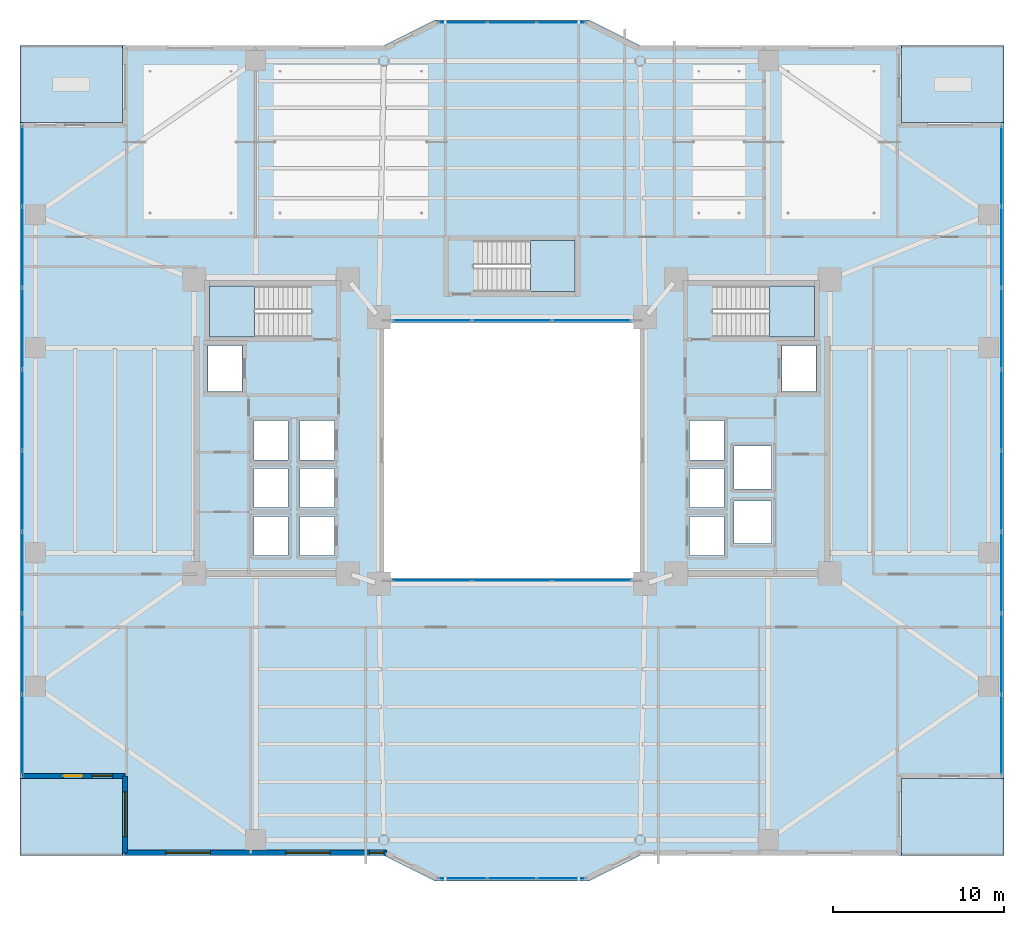
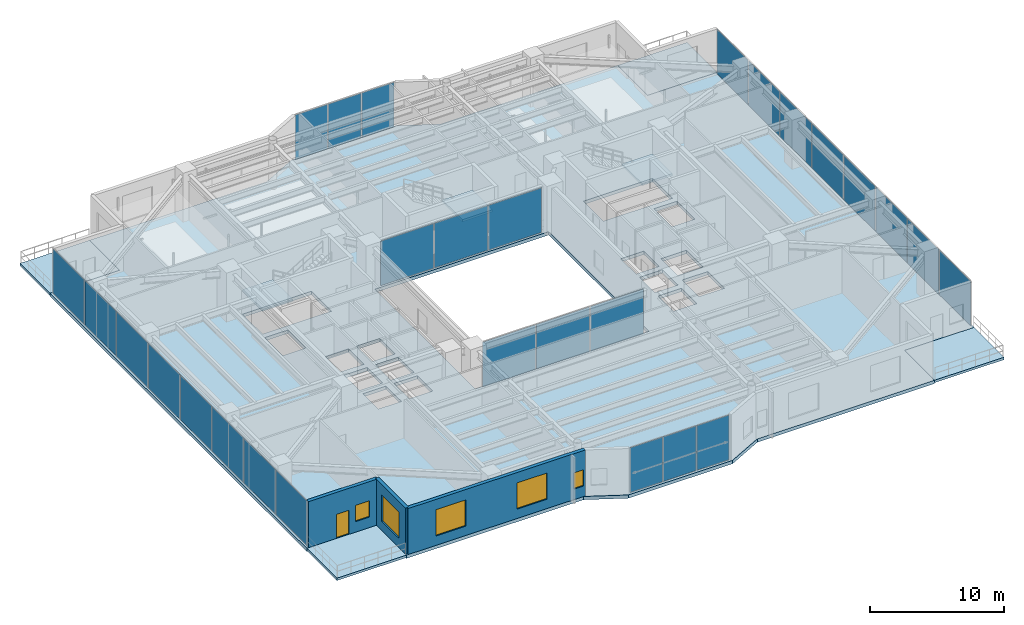
# One storey, part 28 of 39: 28 plates, 8 slabs, 5 windows, 3 walls, 1 door, 6 openings, 9 elements without a shape of their own.
"""IFC4 building model written with IfcOpenShell, lengths in metres."""

from ifc_helpers import new_model, si_unit, direction, frame, frame_2d, origin, origin_2d, place, context, subcontext, project, spatial, polyline, rectangle, outline, extrude, material, layer, layer_set, type_object, element, fill, aggregate, save


model = new_model("IFC4")

# Units and contexts
model_context = context("Model", 3, precision=1e-05, world=origin(), true_north=direction((0.0, 1.0)))
body_context = subcontext(model_context, "Body", "Model", "MODEL_VIEW")
ifc_project = project(units=[si_unit("LENGTHUNIT", "METRE"), si_unit("AREAUNIT", "SQUARE_METRE"), si_unit("VOLUMEUNIT", "CUBIC_METRE"), si_unit("PLANEANGLEUNIT", "RADIAN"), si_unit("MASSUNIT", "GRAM", prefix="KILO")], contexts=[model_context])

# Site, building, storey
site_placement = place(None, origin())
site = spatial("IfcSite", under=ifc_project, at=site_placement, CompositionType="ELEMENT")
building_placement = place(site_placement, origin())
building = spatial("IfcBuilding", under=site, at=building_placement, Name="Tarnavaz Court Tower", CompositionType="ELEMENT")
storey_placement = place(building_placement, frame((0.0, 0.0, 68.699951171875)))
storey = spatial("IfcBuildingStorey", under=building, at=storey_placement, Name="L18", CompositionType="ELEMENT", Elevation=68.699951171875)

# Curtain wall, plates
ifc_material_1 = material(Name="Anodised Aluminium 6063-T6 and Solar Low-E Glazing", Category="aluminium")
ifc_layer_1 = layer(ifc_material_1, 0.139892578125)
ifc_layer_set_1 = layer_set([ifc_layer_1], Name="Anodised Aluminium 6063-T6 and Solar Low-E Glazing")
curtain_wall_type_1 = type_object("IfcCurtainWallType", Name="CW-SYS-04", PredefinedType="NOTDEFINED", material=ifc_layer_set_1)
curtain_wall_1_placement = place(storey_placement, origin())
curtain_wall_1 = element("IfcCurtainWall", 1, at=curtain_wall_1_placement, inside=storey, type_object=curtain_wall_type_1, Name="L18 Badgir Courtyard Curtain Wall S", PredefinedType="NOTDEFINED")
ifc_material_2 = material(Name="Double-Glazed Solar Low-E Glass", Category="glass")
ifc_layer_2 = layer(ifc_material_2, 0.028076171875)
ifc_layer_set_2 = layer_set([ifc_layer_2], Name="Double-Glazed Solar Low-E Glass")
plate_type = type_object("IfcPlateType", Name="CW-PAN-GLZ28", PredefinedType="CURTAIN_PANEL", material=ifc_layer_set_2)
plate_1_placement = place(storey_placement, frame((-4.6611328125, -7.6201171875, 0.06494140625), z_axis=(0.0, 0.0, 1.0), x_axis=(1.0, 0.0, 0.0)))
plate_1 = element("IfcPlate", 2, at=plate_1_placement, type_object=plate_type, Name="CW panel 1.1", PredefinedType="CURTAIN_PANEL", context=body_context, shape_type="SweptSolid", body=[
    extrude(rectangle(XDim=4.5673828125, YDim=0.028076171875, at=origin_2d()), origin(), (0.0, 0.0, 1.0), 4.070068359375),
])
plate_2_placement = place(storey_placement, frame((0.0, -7.6201171875, 0.06494140625), z_axis=(0.0, 0.0, 1.0), x_axis=(1.0, 0.0, 0.0)))
plate_2 = element("IfcPlate", 3, at=plate_2_placement, type_object=plate_type, Name="CW panel 2.1", PredefinedType="CURTAIN_PANEL", context=body_context, shape_type="SweptSolid", body=[
    extrude(rectangle(XDim=4.60498046875, YDim=0.028076171875, at=origin_2d()), origin(), (0.0, 0.0, 1.0), 4.070068359375),
])
plate_3_placement = place(storey_placement, frame((4.6611328125, -7.6201171875, 0.06494140625), z_axis=(0.0, 0.0, 1.0), x_axis=(1.0, 0.0, 0.0)))
plate_3 = element("IfcPlate", 4, at=plate_3_placement, type_object=plate_type, Name="CW panel 3.1", PredefinedType="CURTAIN_PANEL", context=body_context, shape_type="SweptSolid", body=[
    extrude(rectangle(XDim=4.5673828125, YDim=0.028076171875, at=origin_2d()), origin(), (0.0, 0.0, 1.0), 4.070068359375),
])
aggregate(curtain_wall_1, [plate_1, plate_2, plate_3])

curtain_wall_2_placement = place(storey_placement, origin())
curtain_wall_2 = element("IfcCurtainWall", 5, at=curtain_wall_2_placement, inside=storey, type_object=curtain_wall_type_1, Name="L18 Badgir Courtyard Curtain Wall N", PredefinedType="NOTDEFINED")
plate_4_placement = place(storey_placement, frame((4.6611328125, 7.6201171875, 0.06494140625), z_axis=(0.0, 0.0, 1.0), x_axis=(-1.0, 0.0, 0.0)))
plate_4 = element("IfcPlate", 6, at=plate_4_placement, type_object=plate_type, Name="CW panel 1.1", PredefinedType="CURTAIN_PANEL", context=body_context, shape_type="SweptSolid", body=[
    extrude(rectangle(XDim=4.5673828125, YDim=0.028076171875, at=origin_2d()), origin(), (0.0, 0.0, 1.0), 4.070068359375),
])
plate_5_placement = place(storey_placement, frame((0.0, 7.6201171875, 0.06494140625), z_axis=(0.0, 0.0, 1.0), x_axis=(-1.0, 0.0, 0.0)))
plate_5 = element("IfcPlate", 7, at=plate_5_placement, type_object=plate_type, Name="CW panel 2.1", PredefinedType="CURTAIN_PANEL", context=body_context, shape_type="SweptSolid", body=[
    extrude(rectangle(XDim=4.60498046875, YDim=0.028076171875, at=origin_2d()), origin(), (0.0, 0.0, 1.0), 4.070068359375),
])
plate_6_placement = place(storey_placement, frame((-4.6611328125, 7.6201171875, 0.06494140625), z_axis=(0.0, 0.0, 1.0), x_axis=(-1.0, 0.0, 0.0)))
plate_6 = element("IfcPlate", 8, at=plate_6_placement, type_object=plate_type, Name="CW panel 3.1", PredefinedType="CURTAIN_PANEL", context=body_context, shape_type="SweptSolid", body=[
    extrude(rectangle(XDim=4.5673828125, YDim=0.028076171875, at=origin_2d()), origin(), (0.0, 0.0, 1.0), 4.070068359375),
])
aggregate(curtain_wall_2, [plate_4, plate_5, plate_6])

ifc_layer_3 = layer(ifc_material_1, 0.199951171875)
ifc_layer_set_3 = layer_set([ifc_layer_3], Name="Anodised Aluminium 6063-T6 and Solar Low-E Glazing")
curtain_wall_type_2 = type_object("IfcCurtainWallType", Name="CW-SYS-05", PredefinedType="NOTDEFINED", material=ifc_layer_set_3)
curtain_wall_3_placement = place(storey_placement, origin())
curtain_wall_3 = element("IfcCurtainWall", 9, at=curtain_wall_3_placement, inside=storey, type_object=curtain_wall_type_2, Name="L18 Sky-Portal Curtain Wall 2", PredefinedType="NOTDEFINED")
plate_7_placement = place(storey_placement, frame((-28.64990234375, -16.6474609375, 0.06494140625), z_axis=(0.0, 0.0, 1.0), x_axis=(0.0, 1.0, 0.0)))
plate_7 = element("IfcPlate", 10, at=plate_7_placement, type_object=plate_type, Name="CW panel 1.1", PredefinedType="CURTAIN_PANEL", context=body_context, shape_type="SweptSolid", body=[
    extrude(rectangle(XDim=4.635009765625, YDim=0.028076171875, at=origin_2d()), origin(), (0.0, 0.0, 1.0), 4.070068359375),
])
plate_8_placement = place(storey_placement, frame((-28.64990234375, -11.90625, 0.06494140625), z_axis=(0.0, 0.0, 1.0), x_axis=(0.0, 1.0, 0.0)))
plate_8 = element("IfcPlate", 11, at=plate_8_placement, type_object=plate_type, Name="CW panel 2.1", PredefinedType="CURTAIN_PANEL", context=body_context, shape_type="SweptSolid", body=[
    extrude(rectangle(XDim=4.677490234375, YDim=0.028076171875, at=origin_2d()), origin(), (0.0, 0.0, 1.0), 4.070068359375),
])
plate_9_placement = place(storey_placement, frame((-28.64990234375, -7.143798828125, 0.06494140625), z_axis=(0.0, 0.0, 1.0), x_axis=(0.0, 1.0, 0.0)))
plate_9 = element("IfcPlate", 12, at=plate_9_placement, type_object=plate_type, Name="CW panel 3.1", PredefinedType="CURTAIN_PANEL", context=body_context, shape_type="SweptSolid", body=[
    extrude(rectangle(XDim=4.677490234375, YDim=0.028076171875, at=origin_2d()), origin(), (0.0, 0.0, 1.0), 4.070068359375),
])
plate_10_placement = place(storey_placement, frame((-28.64990234375, -2.38134765625, 0.06494140625), z_axis=(0.0, 0.0, 1.0), x_axis=(0.0, 1.0, 0.0)))
plate_10 = element("IfcPlate", 13, at=plate_10_placement, type_object=plate_type, Name="CW panel 4.1", PredefinedType="CURTAIN_PANEL", context=body_context, shape_type="SweptSolid", body=[
    extrude(rectangle(XDim=4.677490234375, YDim=0.028076171875, at=origin_2d()), origin(), (0.0, 0.0, 1.0), 4.070068359375),
])
plate_11_placement = place(storey_placement, frame((-28.64990234375, 2.38134765625, 0.06494140625), z_axis=(0.0, 0.0, 1.0), x_axis=(0.0, 1.0, 0.0)))
plate_11 = element("IfcPlate", 14, at=plate_11_placement, type_object=plate_type, Name="CW panel 5.1", PredefinedType="CURTAIN_PANEL", context=body_context, shape_type="SweptSolid", body=[
    extrude(rectangle(XDim=4.677490234375, YDim=0.028076171875, at=origin_2d()), origin(), (0.0, 0.0, 1.0), 4.070068359375),
])
plate_12_placement = place(storey_placement, frame((-28.64990234375, 7.143798828125, 0.06494140625), z_axis=(0.0, 0.0, 1.0), x_axis=(0.0, 1.0, 0.0)))
plate_12 = element("IfcPlate", 15, at=plate_12_placement, type_object=plate_type, Name="CW panel 6.1", PredefinedType="CURTAIN_PANEL", context=body_context, shape_type="SweptSolid", body=[
    extrude(rectangle(XDim=4.677490234375, YDim=0.028076171875, at=origin_2d()), origin(), (0.0, 0.0, 1.0), 4.070068359375),
])
plate_13_placement = place(storey_placement, frame((-28.64990234375, 11.90625, 0.06494140625), z_axis=(0.0, 0.0, 1.0), x_axis=(0.0, 1.0, 0.0)))
plate_13 = element("IfcPlate", 16, at=plate_13_placement, type_object=plate_type, Name="CW panel 7.1", PredefinedType="CURTAIN_PANEL", context=body_context, shape_type="SweptSolid", body=[
    extrude(rectangle(XDim=4.677490234375, YDim=0.028076171875, at=origin_2d()), origin(), (0.0, 0.0, 1.0), 4.070068359375),
])
plate_14_placement = place(storey_placement, frame((-28.64990234375, 16.6474609375, 0.06494140625), z_axis=(0.0, 0.0, 1.0), x_axis=(0.0, 1.0, 0.0)))
plate_14 = element("IfcPlate", 17, at=plate_14_placement, type_object=plate_type, Name="CW panel 8.1", PredefinedType="CURTAIN_PANEL", context=body_context, shape_type="SweptSolid", body=[
    extrude(rectangle(XDim=4.635009765625, YDim=0.028076171875, at=origin_2d()), origin(), (0.0, 0.0, 1.0), 4.070068359375),
])
aggregate(curtain_wall_3, [plate_7, plate_8, plate_9, plate_10, plate_11, plate_12, plate_13, plate_14])

ifc_layer_4 = layer(ifc_material_1, 0.179931640625)
ifc_layer_set_4 = layer_set([ifc_layer_4], Name="Anodised Aluminium 6063-T6 and Solar Low-E Glazing")
curtain_wall_type_3 = type_object("IfcCurtainWallType", Name="CW-SYS-02", PredefinedType="NOTDEFINED", material=ifc_layer_set_4)
curtain_wall_4_placement = place(storey_placement, origin())
curtain_wall_4 = element("IfcCurtainWall", 18, at=curtain_wall_4_placement, inside=storey, type_object=curtain_wall_type_3, Name="L18 Iwan Prow Curtain Wall 7", PredefinedType="NOTDEFINED")
plate_15_placement = place(storey_placement, frame((-2.88134765625, 25.050048828125, 0.06494140625), z_axis=(0.0, 0.0, 1.0), x_axis=(1.0, 0.0, 0.0)))
plate_15 = element("IfcPlate", 19, at=plate_15_placement, type_object=plate_type, Name="CW panel 1.1", PredefinedType="CURTAIN_PANEL", context=body_context, shape_type="SweptSolid", body=[
    extrude(rectangle(XDim=2.78759765625, YDim=0.028076171875, at=origin_2d()), origin(), (0.0, 0.0, 1.0), 4.070068359375),
])
plate_16_placement = place(storey_placement, frame((0.0, 25.050048828125, 0.06494140625), z_axis=(0.0, 0.0, 1.0), x_axis=(1.0, 0.0, 0.0)))
plate_16 = element("IfcPlate", 20, at=plate_16_placement, type_object=plate_type, Name="CW panel 2.1", PredefinedType="CURTAIN_PANEL", context=body_context, shape_type="SweptSolid", body=[
    extrude(rectangle(XDim=2.824951171875, YDim=0.028076171875, at=origin_2d()), origin(), (0.0, 0.0, 1.0), 4.070068359375),
])
plate_17_placement = place(storey_placement, frame((2.88134765625, 25.050048828125, 0.06494140625), z_axis=(0.0, 0.0, 1.0), x_axis=(1.0, 0.0, 0.0)))
plate_17 = element("IfcPlate", 21, at=plate_17_placement, type_object=plate_type, Name="CW panel 3.1", PredefinedType="CURTAIN_PANEL", context=body_context, shape_type="SweptSolid", body=[
    extrude(rectangle(XDim=2.78759765625, YDim=0.028076171875, at=origin_2d()), origin(), (0.0, 0.0, 1.0), 4.070068359375),
])
aggregate(curtain_wall_4, [plate_15, plate_16, plate_17])

curtain_wall_5_placement = place(storey_placement, origin())
curtain_wall_5 = element("IfcCurtainWall", 22, at=curtain_wall_5_placement, inside=storey, type_object=curtain_wall_type_2, Name="L18 Sky-Portal Curtain Wall 12", PredefinedType="NOTDEFINED")
plate_18_placement = place(storey_placement, frame((28.64990234375, 16.6474609375, 0.06494140625), z_axis=(0.0, 0.0, 1.0), x_axis=(0.0, -1.0, 0.0)))
plate_18 = element("IfcPlate", 23, at=plate_18_placement, type_object=plate_type, Name="CW panel 1.1", PredefinedType="CURTAIN_PANEL", context=body_context, shape_type="SweptSolid", body=[
    extrude(rectangle(XDim=4.635009765625, YDim=0.028076171875, at=origin_2d()), origin(), (0.0, 0.0, 1.0), 4.070068359375),
])
plate_19_placement = place(storey_placement, frame((28.64990234375, 11.90625, 0.06494140625), z_axis=(0.0, 0.0, 1.0), x_axis=(0.0, -1.0, 0.0)))
plate_19 = element("IfcPlate", 24, at=plate_19_placement, type_object=plate_type, Name="CW panel 2.1", PredefinedType="CURTAIN_PANEL", context=body_context, shape_type="SweptSolid", body=[
    extrude(rectangle(XDim=4.677490234375, YDim=0.028076171875, at=origin_2d()), origin(), (0.0, 0.0, 1.0), 4.070068359375),
])
plate_20_placement = place(storey_placement, frame((28.64990234375, 7.143798828125, 0.06494140625), z_axis=(0.0, 0.0, 1.0), x_axis=(0.0, -1.0, 0.0)))
plate_20 = element("IfcPlate", 25, at=plate_20_placement, type_object=plate_type, Name="CW panel 3.1", PredefinedType="CURTAIN_PANEL", context=body_context, shape_type="SweptSolid", body=[
    extrude(rectangle(XDim=4.677490234375, YDim=0.028076171875, at=origin_2d()), origin(), (0.0, 0.0, 1.0), 4.070068359375),
])
plate_21_placement = place(storey_placement, frame((28.64990234375, 2.38134765625, 0.06494140625), z_axis=(0.0, 0.0, 1.0), x_axis=(0.0, -1.0, 0.0)))
plate_21 = element("IfcPlate", 26, at=plate_21_placement, type_object=plate_type, Name="CW panel 4.1", PredefinedType="CURTAIN_PANEL", context=body_context, shape_type="SweptSolid", body=[
    extrude(rectangle(XDim=4.677490234375, YDim=0.028076171875, at=origin_2d()), origin(), (0.0, 0.0, 1.0), 4.070068359375),
])
plate_22_placement = place(storey_placement, frame((28.64990234375, -2.38134765625, 0.06494140625), z_axis=(0.0, 0.0, 1.0), x_axis=(0.0, -1.0, 0.0)))
plate_22 = element("IfcPlate", 27, at=plate_22_placement, type_object=plate_type, Name="CW panel 5.1", PredefinedType="CURTAIN_PANEL", context=body_context, shape_type="SweptSolid", body=[
    extrude(rectangle(XDim=4.677490234375, YDim=0.028076171875, at=origin_2d()), origin(), (0.0, 0.0, 1.0), 4.070068359375),
])
plate_23_placement = place(storey_placement, frame((28.64990234375, -7.143798828125, 0.06494140625), z_axis=(0.0, 0.0, 1.0), x_axis=(0.0, -1.0, 0.0)))
plate_23 = element("IfcPlate", 28, at=plate_23_placement, type_object=plate_type, Name="CW panel 6.1", PredefinedType="CURTAIN_PANEL", context=body_context, shape_type="SweptSolid", body=[
    extrude(rectangle(XDim=4.677490234375, YDim=0.028076171875, at=origin_2d()), origin(), (0.0, 0.0, 1.0), 4.070068359375),
])
plate_24_placement = place(storey_placement, frame((28.64990234375, -11.90625, 0.06494140625), z_axis=(0.0, 0.0, 1.0), x_axis=(0.0, -1.0, 0.0)))
plate_24 = element("IfcPlate", 29, at=plate_24_placement, type_object=plate_type, Name="CW panel 7.1", PredefinedType="CURTAIN_PANEL", context=body_context, shape_type="SweptSolid", body=[
    extrude(rectangle(XDim=4.677490234375, YDim=0.028076171875, at=origin_2d()), origin(), (0.0, 0.0, 1.0), 4.070068359375),
])
plate_25_placement = place(storey_placement, frame((28.64990234375, -16.6474609375, 0.06494140625), z_axis=(0.0, 0.0, 1.0), x_axis=(0.0, -1.0, 0.0)))
plate_25 = element("IfcPlate", 30, at=plate_25_placement, type_object=plate_type, Name="CW panel 8.1", PredefinedType="CURTAIN_PANEL", context=body_context, shape_type="SweptSolid", body=[
    extrude(rectangle(XDim=4.635009765625, YDim=0.028076171875, at=origin_2d()), origin(), (0.0, 0.0, 1.0), 4.070068359375),
])
aggregate(curtain_wall_5, [plate_18, plate_19, plate_20, plate_21, plate_22, plate_23, plate_24, plate_25])

curtain_wall_6_placement = place(storey_placement, origin())
curtain_wall_6 = element("IfcCurtainWall", 31, at=curtain_wall_6_placement, inside=storey, type_object=curtain_wall_type_3, Name="L18 Iwan Prow Curtain Wall 17", PredefinedType="NOTDEFINED")
plate_26_placement = place(storey_placement, frame((2.88134765625, -25.050048828125, 0.06494140625), z_axis=(0.0, 0.0, 1.0), x_axis=(-1.0, 0.0, 0.0)))
plate_26 = element("IfcPlate", 32, at=plate_26_placement, type_object=plate_type, Name="CW panel 1.1", PredefinedType="CURTAIN_PANEL", context=body_context, shape_type="SweptSolid", body=[
    extrude(rectangle(XDim=2.78759765625, YDim=0.028076171875, at=origin_2d()), origin(), (0.0, 0.0, 1.0), 4.070068359375),
])
plate_27_placement = place(storey_placement, frame((0.0, -25.050048828125, 0.06494140625), z_axis=(0.0, 0.0, 1.0), x_axis=(-1.0, 0.0, 0.0)))
plate_27 = element("IfcPlate", 33, at=plate_27_placement, type_object=plate_type, Name="CW panel 2.1", PredefinedType="CURTAIN_PANEL", context=body_context, shape_type="SweptSolid", body=[
    extrude(rectangle(XDim=2.824951171875, YDim=0.028076171875, at=origin_2d()), origin(), (0.0, 0.0, 1.0), 4.070068359375),
])
plate_28_placement = place(storey_placement, frame((-2.88134765625, -25.050048828125, 0.06494140625), z_axis=(0.0, 0.0, 1.0), x_axis=(-1.0, 0.0, 0.0)))
plate_28 = element("IfcPlate", 34, at=plate_28_placement, type_object=plate_type, Name="CW panel 3.1", PredefinedType="CURTAIN_PANEL", context=body_context, shape_type="SweptSolid", body=[
    extrude(rectangle(XDim=2.78759765625, YDim=0.028076171875, at=origin_2d()), origin(), (0.0, 0.0, 1.0), 4.070068359375),
])
aggregate(curtain_wall_6, [plate_26, plate_27, plate_28])

# Stair, slab
ifc_material_3 = material(Name="Concrete C40/50", Category="concrete")
stair_type = type_object("IfcStairType", Name="ST-TWR-26R", PredefinedType="HALF_TURN_STAIR", material=ifc_material_3)
stair_1_placement = place(storey_placement, origin())
stair_1 = element("IfcStair", 35, at=stair_1_placement, inside=storey, type_object=stair_type, Name="L18 West Core Pressurized Exit Stair ST-W1", PredefinedType="HALF_TURN_STAIR")
ifc_layer_5 = layer(ifc_material_3, 0.199951171875)
ifc_layer_set_5 = layer_set([ifc_layer_5], Name="Concrete C40/50")
slab_type_1 = type_object("IfcSlabType", Name="SL-LAND-200", PredefinedType="LANDING", material=ifc_layer_set_5)
slab_1_placement = place(storey_placement, frame((0.0, 0.0, 2.050048828125)))
slab_1 = element("IfcSlab", 36, at=slab_1_placement, type_object=slab_type_1, Name="ST-W1 landing 1", PredefinedType="LANDING", context=body_context, shape_type="SweptSolid", body=[
    extrude(outline(polyline([(-15.080078125, 9.639892578125), (-17.699951171875, 9.639892578125), (-17.699951171875, 6.64990234375), (-15.080078125, 6.64990234375), (-15.080078125, 9.639892578125)])), origin(), (0.0, 0.0, 1.0), 0.199951171875),
])
aggregate(stair_1, [slab_1])

stair_2_placement = place(storey_placement, origin())
stair_2 = element("IfcStair", 37, at=stair_2_placement, inside=storey, type_object=stair_type, Name="L18 East Core Pressurized Exit Stair ST-E1", PredefinedType="HALF_TURN_STAIR")
slab_2_placement = place(storey_placement, frame((0.0, 0.0, 2.050048828125)))
slab_2 = element("IfcSlab", 38, at=slab_2_placement, type_object=slab_type_1, Name="ST-E1 landing 1", PredefinedType="LANDING", context=body_context, shape_type="SweptSolid", body=[
    extrude(outline(polyline([(15.080078125, 6.64990234375), (17.699951171875, 6.64990234375), (17.699951171875, 9.639892578125), (15.080078125, 9.639892578125), (15.080078125, 6.64990234375)])), origin(), (0.0, 0.0, 1.0), 0.199951171875),
])
aggregate(stair_2, [slab_2])

stair_3_placement = place(storey_placement, origin())
stair_3 = element("IfcStair", 39, at=stair_3_placement, inside=storey, type_object=stair_type, Name="L18 North Ring Pressurized Exit Stair ST-N1", PredefinedType="HALF_TURN_STAIR")
slab_3_placement = place(storey_placement, frame((0.0, 0.0, 2.050048828125)))
slab_3 = element("IfcSlab", 40, at=slab_3_placement, type_object=slab_type_1, Name="ST-N1 landing 1", PredefinedType="LANDING", context=body_context, shape_type="SweptSolid", body=[
    extrude(outline(polyline([(1.080078125, 9.300048828125), (3.699951171875, 9.300048828125), (3.699951171875, 12.2900390625), (1.080078125, 12.2900390625), (1.080078125, 9.300048828125)])), origin(), (0.0, 0.0, 1.0), 0.199951171875),
])
aggregate(stair_3, [slab_3])

# Slabs
ifc_layer_6 = layer(ifc_material_3, 0.300048828125)
ifc_layer_set_6 = layer_set([ifc_layer_6], Name="Concrete C40/50")
slab_type_2 = type_object("IfcSlabType", Name="SL-POD-300", PredefinedType="FLOOR", material=ifc_layer_set_6)
slab_4_placement = place(storey_placement, frame((0.0, 0.0, -0.300048828125)))
element("IfcSlab", 41, at=slab_4_placement, inside=storey, type_object=slab_type_2, Name="L18 Structural Floor Slab", PredefinedType="FLOOR", context=body_context, shape_type="SweptSolid", body=[
    extrude(outline(polyline([(-22.800048828125, -23.699951171875), (-7.5, -23.699951171875), (-4.5, -25.199951171875), (4.5, -25.199951171875), (7.5, -23.699951171875), (22.800048828125, -23.699951171875), (22.800048828125, -19.199951171875), (28.800048828125, -19.199951171875), (28.800048828125, 19.199951171875), (22.800048828125, 19.199951171875), (22.800048828125, 23.699951171875), (7.5, 23.699951171875), (4.5, 25.199951171875), (-4.5, 25.199951171875), (-7.5, 23.699951171875), (-22.800048828125, 23.699951171875), (-22.800048828125, 19.199951171875), (-28.800048828125, 19.199951171875), (-28.800048828125, -19.199951171875), (-22.800048828125, -19.199951171875), (-22.800048828125, -23.699951171875)]), holes=[polyline([(-7.5, -7.5), (7.5, -7.5), (7.5, 7.5), (-7.5, 7.5), (-7.5, -7.5)]), polyline([(-11.7451171875, 9.639892578125), (-17.699951171875, 9.639892578125), (-17.699951171875, 6.64990234375), (-11.7451171875, 6.64990234375), (-11.7451171875, 9.639892578125)]), polyline([(11.7451171875, 6.64990234375), (17.699951171875, 6.64990234375), (17.699951171875, 9.639892578125), (11.7451171875, 9.639892578125), (11.7451171875, 6.64990234375)]), polyline([(-2.2548828125, 9.300048828125), (3.699951171875, 9.300048828125), (3.699951171875, 12.2900390625), (-2.2548828125, 12.2900390625), (-2.2548828125, 9.300048828125)]), polyline([(-17.800048828125, 3.449951171875), (-15.800048828125, 3.449951171875), (-15.800048828125, 6.14990234375), (-17.800048828125, 6.14990234375), (-17.800048828125, 3.449951171875)]), polyline([(-12.39990234375, -6.14990234375), (-10.39990234375, -6.14990234375), (-10.39990234375, -3.85009765625), (-12.39990234375, -3.85009765625), (-12.39990234375, -6.14990234375)]), polyline([(-12.39990234375, -3.35009765625), (-10.39990234375, -3.35009765625), (-10.39990234375, -1.050048828125), (-12.39990234375, -1.050048828125), (-12.39990234375, -3.35009765625)]), polyline([(-12.39990234375, -0.550048828125), (-10.39990234375, -0.550048828125), (-10.39990234375, 1.75), (-12.39990234375, 1.75), (-12.39990234375, -0.550048828125)]), polyline([(-15.10009765625, -6.14990234375), (-13.10009765625, -6.14990234375), (-13.10009765625, -3.85009765625), (-15.10009765625, -3.85009765625), (-15.10009765625, -6.14990234375)]), polyline([(-15.10009765625, -3.35009765625), (-13.10009765625, -3.35009765625), (-13.10009765625, -1.050048828125), (-15.10009765625, -1.050048828125), (-15.10009765625, -3.35009765625)]), polyline([(-15.10009765625, -0.550048828125), (-13.10009765625, -0.550048828125), (-13.10009765625, 1.75), (-15.10009765625, 1.75), (-15.10009765625, -0.550048828125)]), polyline([(15.800048828125, 3.449951171875), (17.800048828125, 3.449951171875), (17.800048828125, 6.14990234375), (15.800048828125, 6.14990234375), (15.800048828125, 3.449951171875)]), polyline([(10.39990234375, -6.14990234375), (12.39990234375, -6.14990234375), (12.39990234375, -3.85009765625), (10.39990234375, -3.85009765625), (10.39990234375, -6.14990234375)]), polyline([(10.39990234375, -3.35009765625), (12.39990234375, -3.35009765625), (12.39990234375, -1.050048828125), (10.39990234375, -1.050048828125), (10.39990234375, -3.35009765625)]), polyline([(10.39990234375, -0.550048828125), (12.39990234375, -0.550048828125), (12.39990234375, 1.75), (10.39990234375, 1.75), (10.39990234375, -0.550048828125)]), polyline([(13.0, -5.449951171875), (15.199951171875, -5.449951171875), (15.199951171875, -2.949951171875), (13.0, -2.949951171875), (13.0, -5.449951171875)]), polyline([(13.0, -2.25), (15.199951171875, -2.25), (15.199951171875, 0.25), (13.0, 0.25), (13.0, -2.25)])]), origin(), (0.0, 0.0, 1.0), 0.300048828125),
])
ifc_layer_7 = layer(ifc_material_3, 0.219970703125)
ifc_layer_set_7 = layer_set([ifc_layer_7], Name="Concrete C40/50")
slab_type_3 = type_object("IfcSlabType", Name="SL-TERR-220", PredefinedType="FLOOR", material=ifc_layer_set_7)
slab_5_placement = place(storey_placement, frame((0.0, 0.0, -0.219970703125)))
element("IfcSlab", 42, at=slab_5_placement, inside=storey, type_object=slab_type_3, Name="L18 NE Planted Sky Terrace", PredefinedType="FLOOR", context=body_context, shape_type="SweptSolid", body=[
    extrude(outline(polyline([(22.800048828125, 19.199951171875), (28.800048828125, 19.199951171875), (28.800048828125, 23.699951171875), (22.800048828125, 23.699951171875), (22.800048828125, 19.199951171875)])), origin(), (0.0, 0.0, 1.0), 0.219970703125),
])
slab_6_placement = place(storey_placement, frame((0.0, 0.0, -0.219970703125)))
element("IfcSlab", 43, at=slab_6_placement, inside=storey, type_object=slab_type_3, Name="L18 NW Planted Sky Terrace", PredefinedType="FLOOR", context=body_context, shape_type="SweptSolid", body=[
    extrude(outline(polyline([(-28.800048828125, 19.199951171875), (-22.800048828125, 19.199951171875), (-22.800048828125, 23.699951171875), (-28.800048828125, 23.699951171875), (-28.800048828125, 19.199951171875)])), origin(), (0.0, 0.0, 1.0), 0.219970703125),
])
slab_7_placement = place(storey_placement, frame((0.0, 0.0, -0.219970703125)))
element("IfcSlab", 44, at=slab_7_placement, inside=storey, type_object=slab_type_3, Name="L18 SE Planted Sky Terrace", PredefinedType="FLOOR", context=body_context, shape_type="SweptSolid", body=[
    extrude(outline(polyline([(22.800048828125, -23.699951171875), (28.800048828125, -23.699951171875), (28.800048828125, -19.199951171875), (22.800048828125, -19.199951171875), (22.800048828125, -23.699951171875)])), origin(), (0.0, 0.0, 1.0), 0.219970703125),
])
slab_8_placement = place(storey_placement, frame((0.0, 0.0, -0.219970703125)))
element("IfcSlab", 45, at=slab_8_placement, inside=storey, type_object=slab_type_3, Name="L18 SW Planted Sky Terrace", PredefinedType="FLOOR", context=body_context, shape_type="SweptSolid", body=[
    extrude(outline(polyline([(-28.800048828125, -23.699951171875), (-22.800048828125, -23.699951171875), (-22.800048828125, -19.199951171875), (-28.800048828125, -19.199951171875), (-28.800048828125, -23.699951171875)])), origin(), (0.0, 0.0, 1.0), 0.219970703125),
])

# Wall, openings, door, window
ifc_material_4 = material(Name="Precast Concrete C40/50", Category="concrete")
ifc_layer_8 = layer(ifc_material_4, 0.300048828125)
ifc_layer_set_8 = layer_set([ifc_layer_8], Name="Precast Concrete C40/50")
wall_type = type_object("IfcWallType", Name="WL-EXT-300", PredefinedType="SOLIDWALL", material=ifc_layer_set_8)
wall_1_placement = place(storey_placement, frame((-22.64990234375, -19.050048828125, 0.0), z_axis=(0.0, 0.0, 1.0), x_axis=(-1.0, 0.0, 0.0)))
wall_1 = element("IfcWall", 46, at=wall_1_placement, inside=storey, type_object=wall_type, Name="L18 Exterior Terracotta Facade Wall 01", PredefinedType="SOLIDWALL", context=body_context, shape_type="SweptSolid", body=[
    extrude(rectangle(XDim=6.0, YDim=0.300048828125, at=frame_2d((3.0, 0.0))), origin(), (0.0, 0.0, 1.0), 4.199951171875),
])
opening_1_placement = place(wall_1_placement, frame((2.5, 0.0, 0.0)))
opening_1 = element("IfcOpeningElement", 47, at=opening_1_placement, cuts=wall_1, Name="Opening TD1", PredefinedType="OPENING", context=body_context, shape_type="SweptSolid", body=[
    extrude(rectangle(XDim=1.10009765625, YDim=2.199951171875, at=frame_2d((0.550048828125, 1.10009765625))), frame((0.0, 0.159912109375, 0.0), z_axis=(0.0, -1.0, 0.0), x_axis=(1.0, 0.0, 0.0)), (0.0, 0.0, 1.0), 0.320068359375),
])
opening_2_placement = place(wall_1_placement, frame((0.72998046875, 0.0, 0.949951171875)))
opening_2 = element("IfcOpeningElement", 48, at=opening_2_placement, cuts=wall_1, Name="Opening W05", PredefinedType="OPENING", context=body_context, shape_type="SweptSolid", body=[
    extrude(rectangle(XDim=1.199951171875, YDim=1.5, at=frame_2d((0.60009765625, 0.75))), frame((0.0, 0.159912109375, 0.0), z_axis=(0.0, -1.0, 0.0), x_axis=(1.0, 0.0, 0.0)), (0.0, 0.0, 1.0), 0.320068359375),
])
ifc_material_5 = material(Name="Thermally Broken Aluminium and Laminated Glass", Category="aluminium")
door_type = type_object("IfcDoorType", Name="DR-TERR-1100", OperationType="NOTDEFINED", PredefinedType="DOOR", material=ifc_material_5)
door_placement = place(opening_1_placement, origin())
door = element("IfcDoor", 49, at=door_placement, inside=storey, type_object=door_type, Name="L18 Sky Terrace Access Door 4", OperationType="SINGLE_SWING_RIGHT", OverallHeight=2.199951171875, OverallWidth=1.10009765625, PredefinedType="DOOR", context=body_context, shape_type="SweptSolid", body=[
    extrude(rectangle(XDim=1.10009765625, YDim=2.199951171875, at=frame_2d((0.550048828125, 1.10009765625))), frame((0.0, 0.02490234375, 0.0), z_axis=(0.0, -1.0, 0.0), x_axis=(1.0, 0.0, 0.0)), (0.0, 0.0, 1.0), 0.050048828125),
])
fill(opening_1, door)
window_type_1 = type_object("IfcWindowType", Name="WN-APT-1200", PartitioningType="SINGLE_PANEL", PredefinedType="WINDOW", material=ifc_material_2)
window_1_placement = place(opening_2_placement, origin())
window_1 = element("IfcWindow", 50, at=window_1_placement, inside=storey, type_object=window_type_1, Name="L18 L18 SW Terrace Salon Window", OverallHeight=1.5, OverallWidth=1.199951171875, PartitioningType="SINGLE_PANEL", PredefinedType="WINDOW", context=body_context, shape_type="SweptSolid", body=[
    extrude(rectangle(XDim=1.199951171875, YDim=1.5, at=frame_2d((0.60009765625, 0.75))), frame((0.0, 0.030029296875, 0.0), z_axis=(0.0, -1.0, 0.0), x_axis=(1.0, 0.0, 0.0)), (0.0, 0.0, 1.0), 0.06005859375),
])
fill(opening_2, window_1)

# Wall, openings, windows
wall_2_placement = place(storey_placement, frame((-7.35009765625, -23.550048828125, 0.0), z_axis=(0.0, 0.0, 1.0), x_axis=(-1.0, 0.0, 0.0)))
wall_2 = element("IfcWall", 51, at=wall_2_placement, inside=storey, type_object=wall_type, Name="L18 Exterior Terracotta Facade Wall 19", PredefinedType="SOLIDWALL", context=body_context, shape_type="SweptSolid", body=[
    extrude(rectangle(XDim=15.2998046875, YDim=0.300048828125, at=frame_2d((7.64990234375, 0.0))), origin(), (0.0, 0.0, 1.0), 4.199951171875),
])
opening_3_placement = place(wall_2_placement, frame((0.146728515625, 0.0, 0.949951171875)))
opening_3 = element("IfcOpeningElement", 52, at=opening_3_placement, cuts=wall_2, Name="Opening W15", PredefinedType="OPENING", context=body_context, shape_type="SweptSolid", body=[
    extrude(rectangle(XDim=0.85009765625, YDim=1.5, at=frame_2d((0.425048828125, 0.75))), frame((0.0, 0.159912109375, 0.0), z_axis=(0.0, -1.0, 0.0), x_axis=(1.0, 0.0, 0.0)), (0.0, 0.0, 1.0), 0.320068359375),
])
opening_4_placement = place(wall_2_placement, frame((3.2900390625, 0.0, 0.85009765625)))
opening_4 = element("IfcOpeningElement", 53, at=opening_4_placement, cuts=wall_2, Name="Opening W11", PredefinedType="OPENING", context=body_context, shape_type="SweptSolid", body=[
    extrude(rectangle(XDim=2.60009765625, YDim=2.39990234375, at=frame_2d((1.300048828125, 1.199951171875))), frame((0.0, 0.159912109375, 0.0), z_axis=(0.0, -1.0, 0.0), x_axis=(1.0, 0.0, 0.0)), (0.0, 0.0, 1.0), 0.320068359375),
])
opening_5_placement = place(wall_2_placement, frame((10.31298828125, 0.0, 0.85009765625)))
opening_5 = element("IfcOpeningElement", 54, at=opening_5_placement, cuts=wall_2, Name="Opening W11", PredefinedType="OPENING", context=body_context, shape_type="SweptSolid", body=[
    extrude(rectangle(XDim=2.60009765625, YDim=2.39990234375, at=frame_2d((1.300048828125, 1.199951171875))), frame((0.0, 0.159912109375, 0.0), z_axis=(0.0, -1.0, 0.0), x_axis=(1.0, 0.0, 0.0)), (0.0, 0.0, 1.0), 0.320068359375),
])
window_type_2 = type_object("IfcWindowType", Name="WN-APT-850", PartitioningType="SINGLE_PANEL", PredefinedType="WINDOW", material=ifc_material_2)
window_2_placement = place(opening_3_placement, origin())
window_2 = element("IfcWindow", 55, at=window_2_placement, inside=storey, type_object=window_type_2, Name="L18 L18 Central Iwan Cultural Exhibition Hall Window", OverallHeight=1.5, OverallWidth=0.85009765625, PartitioningType="SINGLE_PANEL", PredefinedType="WINDOW", context=body_context, shape_type="SweptSolid", body=[
    extrude(rectangle(XDim=0.85009765625, YDim=1.5, at=frame_2d((0.425048828125, 0.75))), frame((0.0, 0.030029296875, 0.0), z_axis=(0.0, -1.0, 0.0), x_axis=(1.0, 0.0, 0.0)), (0.0, 0.0, 1.0), 0.06005859375),
])
fill(opening_3, window_2)
window_type_3 = type_object("IfcWindowType", Name="WN-COM-2600", PartitioningType="TRIPLE_PANEL_VERTICAL", PredefinedType="WINDOW", material=ifc_material_2)
window_3_placement = place(opening_4_placement, origin())
window_3 = element("IfcWindow", 56, at=window_3_placement, inside=storey, type_object=window_type_3, Name="L18 L18 South-West Study Room Window", OverallHeight=2.39990234375, OverallWidth=2.60009765625, PartitioningType="SINGLE_PANEL", PredefinedType="WINDOW", context=body_context, shape_type="SweptSolid", body=[
    extrude(rectangle(XDim=2.60009765625, YDim=2.39990234375, at=frame_2d((1.300048828125, 1.199951171875))), frame((0.0, 0.030029296875, 0.0), z_axis=(0.0, -1.0, 0.0), x_axis=(1.0, 0.0, 0.0)), (0.0, 0.0, 1.0), 0.06005859375),
])
fill(opening_4, window_3)
window_4_placement = place(opening_5_placement, origin())
window_4 = element("IfcWindow", 57, at=window_4_placement, inside=storey, type_object=window_type_3, Name="L18 Children Playroom Studio Window", OverallHeight=2.39990234375, OverallWidth=2.60009765625, PartitioningType="SINGLE_PANEL", PredefinedType="WINDOW", context=body_context, shape_type="SweptSolid", body=[
    extrude(rectangle(XDim=2.60009765625, YDim=2.39990234375, at=frame_2d((1.300048828125, 1.199951171875))), frame((0.0, 0.030029296875, 0.0), z_axis=(0.0, -1.0, 0.0), x_axis=(1.0, 0.0, 0.0)), (0.0, 0.0, 1.0), 0.06005859375),
])
fill(opening_5, window_4)

# Wall, opening, window
wall_3_placement = place(storey_placement, frame((-22.64990234375, -23.550048828125, 0.0), z_axis=(0.0, 0.0, 1.0), x_axis=(0.0, 1.0, 0.0)))
wall_3 = element("IfcWall", 58, at=wall_3_placement, inside=storey, type_object=wall_type, Name="L18 Exterior Terracotta Facade Wall 20", PredefinedType="SOLIDWALL", context=body_context, shape_type="SweptSolid", body=[
    extrude(rectangle(XDim=4.5, YDim=0.300048828125, at=frame_2d((2.25, 0.0))), origin(), (0.0, 0.0, 1.0), 4.199951171875),
])
opening_6_placement = place(wall_3_placement, frame((0.967529296875, 0.0, 0.85009765625)))
opening_6 = element("IfcOpeningElement", 59, at=opening_6_placement, cuts=wall_3, Name="Opening W11", PredefinedType="OPENING", context=body_context, shape_type="SweptSolid", body=[
    extrude(rectangle(XDim=2.60009765625, YDim=2.39990234375, at=frame_2d((1.300048828125, 1.199951171875))), frame((0.0, 0.159912109375, 0.0), z_axis=(0.0, -1.0, 0.0), x_axis=(1.0, 0.0, 0.0)), (0.0, 0.0, 1.0), 0.320068359375),
])
window_5_placement = place(opening_6_placement, origin())
window_5 = element("IfcWindow", 60, at=window_5_placement, inside=storey, type_object=window_type_3, Name="L18 Children Playroom Studio Window", OverallHeight=2.39990234375, OverallWidth=2.60009765625, PartitioningType="SINGLE_PANEL", PredefinedType="WINDOW", context=body_context, shape_type="SweptSolid", body=[
    extrude(rectangle(XDim=2.60009765625, YDim=2.39990234375, at=frame_2d((1.300048828125, 1.199951171875))), frame((0.0, 0.030029296875, 0.0), z_axis=(0.0, -1.0, 0.0), x_axis=(1.0, 0.0, 0.0)), (0.0, 0.0, 1.0), 0.06005859375),
])
fill(opening_6, window_5)

save(model, "model.ifc")
